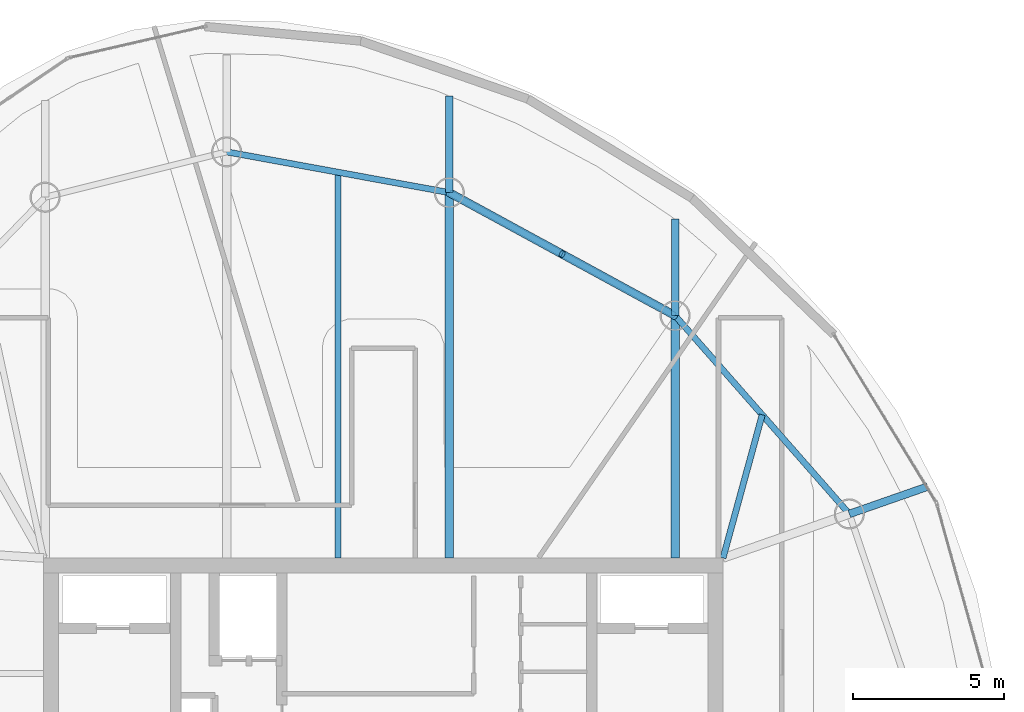
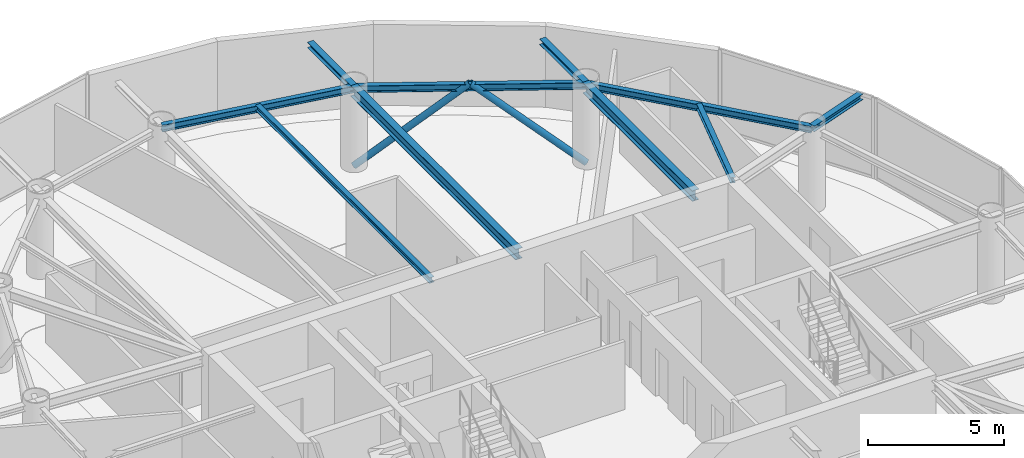
# One storey, part 12 of 19: 10 beams, 2 members.
"""IFC4 building model written with IfcOpenShell, lengths in metres."""

import ifcopenshell
import ifcopenshell.guid

model = None  # the IFC model being written
_history = None  # IfcOwnerHistory: only IFC2X3 demands one
_inside = {}  # id of a spatial element -> (the spatial element, [elements in it])
_under = {}  # id of a project, library or spatial element -> (it, [spatial elements below it])
_declared = {}  # id of a project -> (the project, [libraries it declares])
_typed = {}  # id of a type object -> (the type object, [elements of that type])
_made_of = {}  # id of a material, layer set ... -> (it, [elements and type objects made of it])


def new_model(schema):
    """Start an empty IFC model of exactly this schema.

    Asked for "IFC4X3", IfcOpenShell would pick the latest addendum, in which some entities
    have other attributes; the version numbers below select the first issue.
    IFC2X3 requires an IfcOwnerHistory on every rooted entity: one is made here for all.
    """
    global model, _history
    if schema == "IFC4X3":
        model = ifcopenshell.file(schema_version=(4, 3, 0, 0))
    else:
        model = ifcopenshell.file(schema=schema)
    _inside.clear()
    _under.clear()
    _declared.clear()
    _typed.clear()
    _made_of.clear()
    _history = None
    if model.schema == "IFC2X3":
        org = make("IfcOrganization", Name="unknown")
        user = make(
            "IfcPersonAndOrganization",
            ThePerson=make("IfcPerson", FamilyName="unknown"),
            TheOrganization=org,
        )
        app = make(
            "IfcApplication",
            ApplicationDeveloper=org,
            Version="unknown",
            ApplicationFullName="unknown",
            ApplicationIdentifier="unknown",
        )
        _history = make(
            "IfcOwnerHistory",
            OwningUser=user,
            OwningApplication=app,
            ChangeAction="ADDED",
            CreationDate=0,
        )
    return model


def make(cls, **values):
    """One entity of the class cls with the attributes given. An attribute that is None is left unset."""
    return model.create_entity(
        cls, **{name: value for name, value in values.items() if value is not None}
    )


def rooted(cls, **values):
    """An entity with a GlobalId (a new one), such as an element, a storey or a relation."""
    return make(cls, GlobalId=ifcopenshell.guid.new(), OwnerHistory=_history, **values)


def si_unit(unit_type, name, prefix=None):
    """IfcSIUnit, for example si_unit("LENGTHUNIT", "METRE", prefix="MILLI")."""
    return make("IfcSIUnit", UnitType=unit_type, Prefix=prefix, Name=name)


def assignment(units):
    """IfcUnitAssignment: the units of a project."""
    return None if units is None else make("IfcUnitAssignment", Units=units)


def point(xyz):
    """IfcCartesianPoint."""
    return None if xyz is None else make("IfcCartesianPoint", Coordinates=xyz)


def direction(xyz):
    """IfcDirection."""
    return None if xyz is None else make("IfcDirection", DirectionRatios=xyz)


def frame(location, z_axis=None, x_axis=None):
    """IfcAxis2Placement3D, a coordinate frame: its origin and axes. An axis left out is left unset."""
    return make(
        "IfcAxis2Placement3D",
        Location=point(location),
        Axis=direction(z_axis),
        RefDirection=direction(x_axis),
    )


def frame_2d(location, x_axis=None):
    """IfcAxis2Placement2D, a coordinate frame in the plane: its origin and x axis."""
    return make(
        "IfcAxis2Placement2D", Location=point(location), RefDirection=direction(x_axis)
    )


def origin():
    """The frame at (0, 0, 0) with its axes left unset."""
    return frame((0.0, 0.0, 0.0))


def origin_2d():
    """The frame at (0, 0) in the plane with its x axis left unset."""
    return frame_2d((0.0, 0.0))


def place(relative_to, where):
    """IfcLocalPlacement: puts the frame where relative to a parent placement (None: the world)."""
    return make(
        "IfcLocalPlacement", PlacementRelTo=relative_to, RelativePlacement=where
    )


def context(
    kind, dimensions, precision=None, world=None, true_north=None, identifier=None
):
    """IfcGeometricRepresentationContext, for example the 3D "Model" context."""
    return make(
        "IfcGeometricRepresentationContext",
        ContextIdentifier=identifier,
        ContextType=kind,
        CoordinateSpaceDimension=dimensions,
        Precision=precision,
        WorldCoordinateSystem=world,
        TrueNorth=true_north,
    )


def subcontext(parent, identifier, kind, view, scale=None):
    """IfcGeometricRepresentationSubContext, for example "Body" below "Model"."""
    return make(
        "IfcGeometricRepresentationSubContext",
        ContextIdentifier=identifier,
        ContextType=kind,
        ParentContext=parent,
        TargetScale=scale,
        TargetView=view,
    )


def project(units=None, contexts=None):
    """IfcProject with its units and contexts."""
    return rooted(
        "IfcProject",
        Name="project",
        RepresentationContexts=contexts,
        UnitsInContext=assignment(units),
    )


def spatial(cls, under=None, at=None, **own):
    """A site, building, storey or space (cls), placed at a placement, below another one or the project."""
    s = rooted(cls, ObjectPlacement=at, **own)
    if under is not None:
        _under.setdefault(under.id(), (under, []))[1].append(s)
    return s


def profile(cls, at=None, kind="AREA", **sizes):
    """A parametric profile (cls). Its sizes go by their IFC names, for example OverallWidth=200.0."""
    return make(cls, ProfileType=kind, Position=at, **sizes)


def hollow_circle(**sizes):
    """IfcCircleHollowProfileDef."""
    return profile("IfcCircleHollowProfileDef", **sizes)


def i_section(**sizes):
    """IfcIShapeProfileDef."""
    return profile("IfcIShapeProfileDef", **sizes)


def extrude(swept, where, along, depth):
    """IfcExtrudedAreaSolid: the profile swept, set in the frame where, extruded along a direction by depth."""
    return make(
        "IfcExtrudedAreaSolid",
        SweptArea=swept,
        Position=where,
        ExtrudedDirection=direction(along),
        Depth=depth,
    )


def shape(context_of_items, identifier, shape_type, items):
    """IfcShapeRepresentation: the items that make up one representation, for example the "Body"."""
    return make(
        "IfcShapeRepresentation",
        ContextOfItems=context_of_items,
        RepresentationIdentifier=identifier,
        RepresentationType=shape_type,
        Items=items,
    )


def material(Name=None, Category=None):
    """IfcMaterial."""
    return make("IfcMaterial", Name=Name, Category=Category)


def material_profile(
    of_material, cross_section, Name=None, Category=None, Priority=None
):
    """IfcMaterialProfile: a cross section and its material."""
    return make(
        "IfcMaterialProfile",
        Name=Name,
        Material=of_material,
        Profile=cross_section,
        Priority=Priority,
        Category=Category,
    )


def profile_set(profiles, Name=None, composite=None):
    """IfcMaterialProfileSet."""
    return make(
        "IfcMaterialProfileSet",
        Name=Name,
        MaterialProfiles=profiles,
        CompositeProfile=composite,
    )


def made_of(thing, what):
    """Note that an element or type object is made of a material, layer set ...; save() writes the relation."""
    if what is not None:
        _made_of.setdefault(what.id(), (what, []))[1].append(thing)
    return thing


def type_object(cls, material=None, **own):
    """A type object (cls), such as IfcWallType, which elements share."""
    return made_of(rooted(cls, **own), material)


def element(
    cls,
    number,
    at=None,
    inside=None,
    cuts=None,
    type_object=None,
    material=None,
    context=None,
    identifier="Body",
    shape_type=None,
    held_by="IfcProductDefinitionShape",
    body=None,
    shapes=None,
    **own,
):
    """One element of the class cls, such as IfcWall. Its Tag is "e" and its number.

    at: its placement. inside: the storey or other place that contains it. cuts: it is an
    opening in that element (IfcRelVoidsElement). A single representation is given by context,
    identifier, shape_type and body (its items); several are given by shapes. held_by: the class
    of the entity that holds the representations. save() writes the other relations.
    """
    e = rooted(cls, Tag="e%d" % number, ObjectPlacement=at, **own)
    if body is not None:
        shapes = [shape(context, identifier, shape_type, body)]
    if shapes is not None:
        e.Representation = make(held_by, Representations=shapes)
    if inside is not None:
        _inside.setdefault(inside.id(), (inside, []))[1].append(e)
    if cuts is not None:
        rooted(
            "IfcRelVoidsElement", RelatingBuildingElement=cuts, RelatedOpeningElement=e
        )
    if type_object is not None:
        _typed.setdefault(type_object.id(), (type_object, []))[1].append(e)
    return made_of(e, material)


def aggregate(whole, parts):
    """IfcRelAggregates: a whole, such as a stair, and the parts it consists of."""
    return rooted("IfcRelAggregates", RelatingObject=whole, RelatedObjects=parts)


def save(model, path):
    """Write the relations noted so far, then the file.

    IfcRelAggregates (storeys below a building ...), IfcRelContainedInSpatialStructure (elements
    in a storey), IfcRelDefinesByType, IfcRelAssociatesMaterial and IfcRelDeclares: one each for
    every whole, place, type object, material and project.
    """
    for whole, parts in _under.values():
        aggregate(whole, parts)
    for where, things in _inside.values():
        rooted(
            "IfcRelContainedInSpatialStructure",
            RelatedElements=things,
            RelatingStructure=where,
        )
    for kind, things in _typed.values():
        rooted("IfcRelDefinesByType", RelatedObjects=things, RelatingType=kind)
    for what, things in _made_of.values():
        rooted("IfcRelAssociatesMaterial", RelatedObjects=things, RelatingMaterial=what)
    for by, libraries in _declared.values():
        rooted("IfcRelDeclares", RelatingContext=by, RelatedDefinitions=libraries)
    model.write(path)


model = new_model("IFC4")

# Units and contexts
model_context = context("Model", 3, precision=1e-05, world=origin(), true_north=direction((0.0, 1.0)))
body_context = subcontext(model_context, "Body", "Model", "MODEL_VIEW")
ifc_project = project(units=[si_unit("LENGTHUNIT", "METRE"), si_unit("AREAUNIT", "SQUARE_METRE"), si_unit("VOLUMEUNIT", "CUBIC_METRE"), si_unit("PLANEANGLEUNIT", "RADIAN"), si_unit("MASSUNIT", "GRAM", prefix="KILO")], contexts=[model_context])

# Site, building, storey
site_placement = place(None, origin())
site = spatial("IfcSite", under=ifc_project, at=site_placement, CompositionType="ELEMENT")
building_placement = place(site_placement, origin())
building = spatial("IfcBuilding", under=site, at=building_placement, Name="Bramvorn Convention Spire", CompositionType="ELEMENT")
storey_placement = place(building_placement, frame((0.0, 0.0, 299.800048828125)))
storey = spatial("IfcBuildingStorey", under=building, at=storey_placement, Name="L76", CompositionType="ELEMENT", Elevation=299.800048828125)

# Beams
ifc_material = material(Name="Steel CSA G40.21 Grade 350 (350W)", Category="steel")
ifc_material_profile_1 = material_profile(ifc_material, i_section(OverallWidth=0.201904296875, OverallDepth=0.2470703125, WebThickness=0.00732421875, FlangeThickness=0.010986328125, FilletRadius=0.011962890625, at=origin_2d()))
ifc_profile_set_1 = profile_set([ifc_material_profile_1], Name="Steel CSA G40.21 Grade 350 (350W) - W250X49")
beam_type_1 = type_object("IfcBeamType", Name="BM-W250X49", PredefinedType="JOIST", material=ifc_profile_set_1)
beam_1_placement = place(storey_placement, frame((49.25, 33.449951171875, 3.50146484375), z_axis=(0.26386506219, 0.96455960363, 0.0), x_axis=(-0.96455960363, 0.26386506219, 0.0)))
element("IfcBeam", 1, at=beam_1_placement, inside=storey, type_object=beam_type_1, Name="L76 composite floor joist 05", PredefinedType="JOIST", context=body_context, shape_type="SweptSolid", body=[
    extrude(i_section(OverallWidth=0.201904296875, OverallDepth=0.2470703125, WebThickness=0.00732421875, FlangeThickness=0.010986328125, FilletRadius=0.011962890625, at=origin_2d()), origin(), (0.0, 0.0, 1.0), 4.917724609375),
])
beam_2_placement = place(storey_placement, frame((36.498046875, 33.449951171875, 3.50146484375), z_axis=(0.0, 1.0, 0.0), x_axis=(-1.0, 0.0, 0.0)))
element("IfcBeam", 2, at=beam_2_placement, inside=storey, type_object=beam_type_1, Name="L76 composite floor joist 07", PredefinedType="JOIST", context=body_context, shape_type="SweptSolid", body=[
    extrude(i_section(OverallWidth=0.201904296875, OverallDepth=0.2470703125, WebThickness=0.00732421875, FlangeThickness=0.010986328125, FilletRadius=0.011962890625, at=origin_2d()), origin(), (0.0, 0.0, 1.0), 12.77587890625),
])
ifc_material_profile_2 = material_profile(ifc_material, i_section(OverallWidth=0.25390625, OverallDepth=0.2529296875, WebThickness=0.008544921875, FlangeThickness=0.01416015625, FilletRadius=0.011962890625, at=origin_2d()))
ifc_profile_set_2 = profile_set([ifc_material_profile_2], Name="Steel CSA G40.21 Grade 350 (350W) - W250X73")
beam_type_2 = type_object("IfcBeamType", Name="BM-W250X73", PredefinedType="BEAM", material=ifc_profile_set_2)
beam_3_placement = place(storey_placement, frame((53.4326171875, 34.909912109375, 3.49853515625), z_axis=(0.944119836099, 0.329602389379, 0.0), x_axis=(-0.329602389379, 0.944119836099, 0.0)))
element("IfcBeam", 3, at=beam_3_placement, inside=storey, type_object=beam_type_2, Name="L76 slab-edge cantilever tip beam MC05", PredefinedType="BEAM", context=body_context, shape_type="SweptSolid", body=[
    extrude(i_section(OverallWidth=0.25390625, OverallDepth=0.2529296875, WebThickness=0.008544921875, FlangeThickness=0.01416015625, FilletRadius=0.011962890625, at=origin_2d()), origin(), (0.0, 0.0, 1.0), 2.748046875),
])
for number, where, z_axis, x_axis, name in (
    (4, (47.662353515625, 41.476806640625, 3.49853515625), (0.0, 1.0, 0.0), (-1.0, 0.0, 0.0), "L76 slab-edge cantilever tip beam MC06"),
    (5, (40.1845703125, 45.55078125, 3.49853515625), (0.0, 1.0, 0.0), (-1.0, 0.0, 0.0), "L76 slab-edge cantilever tip beam MC07"),
):
    element("IfcBeam", number, at=place(storey_placement, frame(where, z_axis=z_axis, x_axis=x_axis)), inside=storey, type_object=beam_type_2, Name=name, PredefinedType="BEAM", context=body_context, shape_type="SweptSolid", body=[
        extrude(i_section(OverallWidth=0.25390625, OverallDepth=0.2529296875, WebThickness=0.008544921875, FlangeThickness=0.01416015625, FilletRadius=0.011962890625, at=origin_2d()), origin(), (0.0, 0.0, 1.0), 3.199951171875),
    ])
ifc_material_profile_3 = material_profile(ifc_material, i_section(OverallWidth=0.202880859375, OverallDepth=0.302978515625, WebThickness=0.007568359375, FlangeThickness=0.01318359375, FilletRadius=0.013916015625, at=origin_2d()))
ifc_profile_set_3 = profile_set([ifc_material_profile_3], Name="Steel CSA G40.21 Grade 350 (350W) - W310X60")
beam_type_3 = type_object("IfcBeamType", Name="BM-W310X60", PredefinedType="JOIST", material=ifc_profile_set_3)
beam_4_placement = place(storey_placement, frame((53.4326171875, 34.909912109375, 3.473388671875), z_axis=(-0.660073062339, 0.751201405999, 0.0), x_axis=(-0.751201405999, -0.660073062339, 0.0)))
element("IfcBeam", 6, at=beam_4_placement, inside=storey, type_object=beam_type_3, Name="L76 mega-column ring beam 05", PredefinedType="JOIST", context=body_context, shape_type="SweptSolid", body=[
    extrude(i_section(OverallWidth=0.202880859375, OverallDepth=0.302978515625, WebThickness=0.007568359375, FlangeThickness=0.01318359375, FilletRadius=0.013916015625, at=origin_2d()), origin(), (0.0, 0.0, 1.0), 8.741943359375),
])
beam_5_placement = place(storey_placement, frame((47.662353515625, 41.476806640625, 3.473388671875), z_axis=(-0.878133224771, 0.478416178189, 0.0), x_axis=(-0.478416178189, -0.878133224771, 0.0)))
element("IfcBeam", 7, at=beam_5_placement, inside=storey, type_object=beam_type_3, Name="L76 mega-column ring beam 06", PredefinedType="JOIST", context=body_context, shape_type="SweptSolid", body=[
    extrude(i_section(OverallWidth=0.202880859375, OverallDepth=0.302978515625, WebThickness=0.007568359375, FlangeThickness=0.01318359375, FilletRadius=0.013916015625, at=origin_2d()), origin(), (0.0, 0.0, 1.0), 8.515625),
])
beam_6_placement = place(storey_placement, frame((40.1845703125, 45.55078125, 3.473388671875), z_axis=(-0.983645049461, 0.180117785547, 0.0), x_axis=(-0.180117785547, -0.983645049461, 0.0)))
element("IfcBeam", 8, at=beam_6_placement, inside=storey, type_object=beam_type_3, Name="L76 mega-column ring beam 07", PredefinedType="JOIST", context=body_context, shape_type="SweptSolid", body=[
    extrude(i_section(OverallWidth=0.202880859375, OverallDepth=0.302978515625, WebThickness=0.007568359375, FlangeThickness=0.01318359375, FilletRadius=0.013916015625, at=origin_2d()), origin(), (0.0, 0.0, 1.0), 7.49560546875),
])
ifc_material_profile_4 = material_profile(ifc_material, i_section(OverallWidth=0.283935546875, OverallDepth=0.47607421875, WebThickness=0.014892578125, FlangeThickness=0.02392578125, FilletRadius=0.01806640625, at=origin_2d()))
ifc_profile_set_4 = profile_set([ifc_material_profile_4], Name="Steel CSA G40.21 Grade 350 (350W) - W460X158")
beam_type_4 = type_object("IfcBeamType", Name="BM-W460X158", PredefinedType="SPANDREL", material=ifc_profile_set_4)
beam_7_placement = place(storey_placement, frame((47.662353515625, 33.449951171875, 3.386962890625), z_axis=(0.0, 1.0, 0.0), x_axis=(-1.0, 0.0, 0.0)))
element("IfcBeam", 9, at=beam_7_placement, inside=storey, type_object=beam_type_4, Name="L76 radial floor girder MC06", PredefinedType="SPANDREL", context=body_context, shape_type="SweptSolid", body=[
    extrude(i_section(OverallWidth=0.283935546875, OverallDepth=0.47607421875, WebThickness=0.014892578125, FlangeThickness=0.02392578125, FilletRadius=0.01806640625, at=origin_2d()), origin(), (0.0, 0.0, 1.0), 8.02685546875),
])
beam_8_placement = place(storey_placement, frame((40.1845703125, 33.449951171875, 3.386962890625), z_axis=(0.0, 1.0, 0.0), x_axis=(-1.0, 0.0, 0.0)))
element("IfcBeam", 10, at=beam_8_placement, inside=storey, type_object=beam_type_4, Name="L76 radial floor girder MC07", PredefinedType="SPANDREL", context=body_context, shape_type="SweptSolid", body=[
    extrude(i_section(OverallWidth=0.283935546875, OverallDepth=0.47607421875, WebThickness=0.014892578125, FlangeThickness=0.02392578125, FilletRadius=0.01806640625, at=origin_2d()), origin(), (0.0, 0.0, 1.0), 12.100830078125),
])

# Members
ifc_material_profile_5 = material_profile(ifc_material, hollow_circle(Radius=0.136474609375, WallThickness=0.0126953125, at=origin_2d()))
ifc_profile_set_5 = profile_set([ifc_material_profile_5], Name="Steel CSA G40.21 Grade 350 (350W) - CHS273X13")
member_type = type_object("IfcMemberType", Name="MBR-CHS273X13", PredefinedType="BRACE", material=ifc_profile_set_5)
member_1_placement = place(storey_placement, frame((47.662353515625, 41.476806640625, 0.0), z_axis=(-0.668634081548, 0.364288787231, 0.648245435379), x_axis=(-0.478426241072, -0.878127742332, 0.0)))
element("IfcMember", 11, at=member_1_placement, inside=storey, type_object=member_type, Name="L76 perimeter Gothic lancet brace 6A", PredefinedType="BRACE", context=body_context, shape_type="SweptSolid", body=[
    extrude(hollow_circle(Radius=0.136474609375, WallThickness=0.0126953125, at=origin_2d()), origin(), (0.0, 0.0, 1.0), 5.592041015625),
])
member_2_placement = place(storey_placement, frame((40.1845703125, 45.55078125, 0.0), z_axis=(0.668620574392, -0.364261554927, 0.64827466949), x_axis=(0.478406114461, 0.878138707521, 0.0)))
element("IfcMember", 12, at=member_2_placement, inside=storey, type_object=member_type, Name="L76 perimeter Gothic lancet brace 6B", PredefinedType="BRACE", context=body_context, shape_type="SweptSolid", body=[
    extrude(hollow_circle(Radius=0.136474609375, WallThickness=0.0126953125, at=origin_2d()), origin(), (0.0, 0.0, 1.0), 5.591796875),
])

save(model, "model.ifc")
